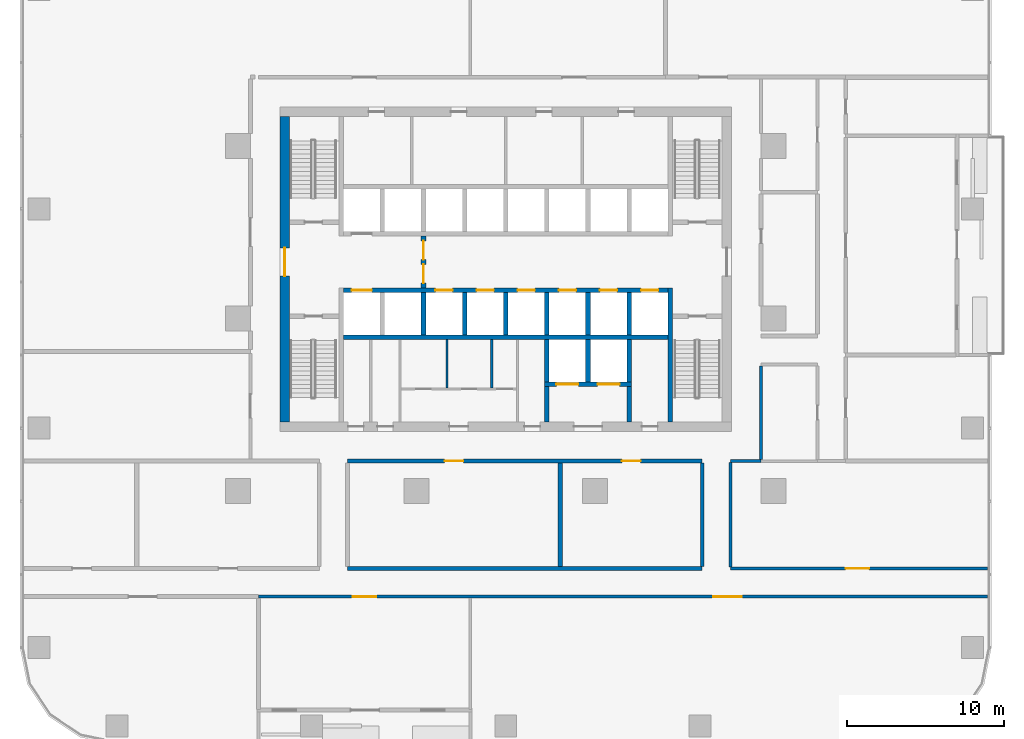
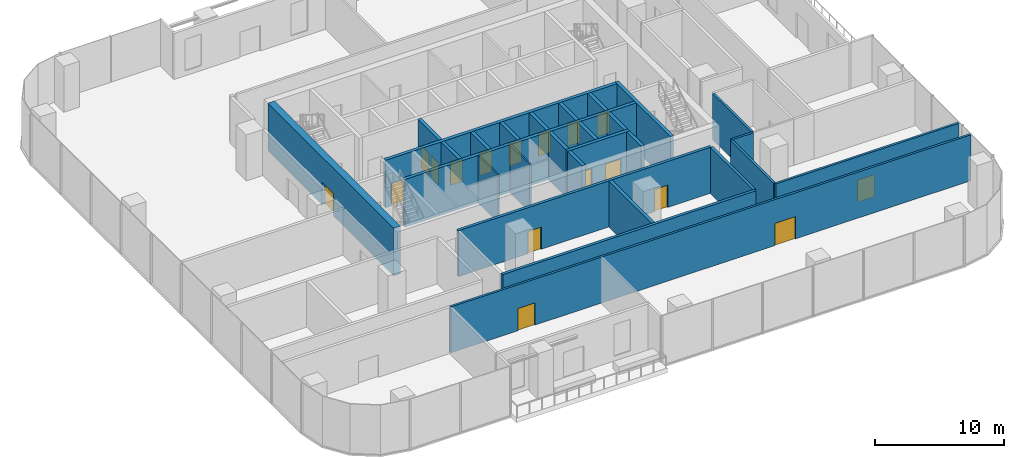
# One storey, part 8 of 15: 28 walls, 17 doors, 17 openings.
"""IFC4 building model written with IfcOpenShell, lengths in metres."""

from ifc_helpers import new_model, si_unit, direction, frame, frame_2d, origin, place, context, subcontext, project, spatial, rectangle, extrude, material, layer, layer_set, type_object, element, fill, save


model = new_model("IFC4")

# Units and contexts
model_context = context("Model", 3, precision=1e-05, world=origin(), true_north=direction((0.0, 1.0)))
body_context = subcontext(model_context, "Body", "Model", "MODEL_VIEW")
ifc_project = project(units=[si_unit("LENGTHUNIT", "METRE"), si_unit("AREAUNIT", "SQUARE_METRE"), si_unit("VOLUMEUNIT", "CUBIC_METRE"), si_unit("PLANEANGLEUNIT", "RADIAN"), si_unit("MASSUNIT", "GRAM", prefix="KILO")], contexts=[model_context])

# Site, building, storey
site_placement = place(None, origin())
site = spatial("IfcSite", under=ifc_project, at=site_placement, CompositionType="ELEMENT")
building_placement = place(site_placement, origin())
building = spatial("IfcBuilding", under=site, at=building_placement, Name="Mopane Tessera Tower", CompositionType="ELEMENT")
storey_placement = place(building_placement, frame((0.0, 0.0, 69.39990234375)))
storey = spatial("IfcBuildingStorey", under=building, at=storey_placement, Name="L13", CompositionType="ELEMENT", Elevation=69.39990234375)

# Walls
ifc_material_1 = material(Name="Fire-rated gypsum board partition")
ifc_layer_1 = layer(ifc_material_1, 0.14990234375)
ifc_layer_set_1 = layer_set([ifc_layer_1], Name="Fire-rated gypsum board partition")
wall_type_1 = type_object("IfcWallType", Name="Core room partition 150 mm", PredefinedType="PARTITIONING", material=ifc_layer_set_1)
for number, where, z_axis, x_axis, name in (
    (1, (-3.75, -4.425048828125, 0.0), (0.0, 0.0, 1.0), (0.0, 1.0, 0.0), "L13 WC partition"),
    (2, (-0.89990234375, -4.425048828125, 0.0), (0.0, 0.0, 1.0), (0.0, 1.0, 0.0), "L13 WC partition"),
):
    element("IfcWall", number, at=place(storey_placement, frame(where, z_axis=z_axis, x_axis=x_axis)), inside=storey, type_object=wall_type_1, Name=name, PredefinedType="PARTITIONING", context=body_context, shape_type="SweptSolid", body=[
        extrude(rectangle(XDim=3.074951171875, YDim=0.14990234375, at=frame_2d((1.53759765625, 0.0))), origin(), (0.0, 0.0, 1.0), 4.5),
    ])

# Wall, opening, door
ifc_material_2 = material(Name="Concrete C70/85", Category="concrete")
ifc_layer_2 = layer(ifc_material_2, 0.60009765625)
ifc_layer_set_2 = layer_set([ifc_layer_2], Name="Concrete C70/85")
wall_type_2 = type_object("IfcWallType", Name="Core shear wall 600 mm", PredefinedType="SHEAR", material=ifc_layer_set_2)
wall_1_placement = place(storey_placement, frame((-14.10009765625, -6.60009765625, 0.0), z_axis=(0.0, 0.0, 1.0), x_axis=(0.0, 1.0, 0.0)))
wall_1 = element("IfcWall", 3, at=wall_1_placement, inside=storey, type_object=wall_type_2, Name="L13 Core wall west", PredefinedType="SHEAR", context=body_context, shape_type="SweptSolid", body=[
    extrude(rectangle(XDim=19.5, YDim=0.60009765625, at=frame_2d((9.75, 0.0))), origin(), (0.0, 0.0, 1.0), 4.5),
])
opening_1_placement = place(wall_1_placement, frame((9.300048828125, 0.0, 0.0)))
opening_1 = element("IfcOpeningElement", 4, at=opening_1_placement, cuts=wall_1, Name="Opening SD2", PredefinedType="OPENING", context=body_context, shape_type="SweptSolid", body=[
    extrude(rectangle(XDim=1.800048828125, YDim=2.10009765625, at=frame_2d((0.89990234375, 1.050048828125))), frame((0.0, 0.31201171875, 0.0), z_axis=(0.0, -1.0, 0.0), x_axis=(1.0, 0.0, 0.0)), (0.0, 0.0, 1.0), 0.6240234375),
])
ifc_material_3 = material(Name="Steel fire door", Category="steel")
door_type_1 = type_object("IfcDoorType", Name="Core entrance double door 1800 x 2100", OperationType="DOUBLE_DOOR_SINGLE_SWING", PredefinedType="DOOR", material=ifc_material_3)
door_1_placement = place(opening_1_placement, origin())
door_1 = element("IfcDoor", 5, at=door_1_placement, inside=storey, type_object=door_type_1, Name="L13 Core entrance door west", OperationType="DOUBLE_DOOR_SINGLE_SWING", OverallHeight=2.10009765625, OverallWidth=1.800048828125, PredefinedType="DOOR", context=body_context, shape_type="SweptSolid", body=[
    extrude(rectangle(XDim=1.800048828125, YDim=2.10009765625, at=frame_2d((0.89990234375, 1.050048828125))), frame((0.0, 0.02490234375, 0.0), z_axis=(0.0, -1.0, 0.0), x_axis=(1.0, 0.0, 0.0)), (0.0, 0.0, 1.0), 0.050048828125),
])
fill(opening_1, door_1)

# Wall
ifc_material_4 = material(Name="Concrete C60/75", Category="concrete")
ifc_layer_3 = layer(ifc_material_4, 0.300048828125)
ifc_layer_set_3 = layer_set([ifc_layer_3], Name="Concrete C60/75")
wall_type_3 = type_object("IfcWallType", Name="Core spine wall 300 mm", PredefinedType="SHEAR", material=ifc_layer_set_3)
wall_2_placement = place(storey_placement, frame((10.5, -6.60009765625, 0.0), z_axis=(0.0, 0.0, 1.0), x_axis=(0.0, 1.0, 0.0)))
element("IfcWall", 6, at=wall_2_placement, inside=storey, type_object=wall_type_3, Name="L13 Core spine wall", PredefinedType="SHEAR", context=body_context, shape_type="SweptSolid", body=[
    extrude(rectangle(XDim=8.550048828125, YDim=0.300048828125, at=frame_2d((4.27490234375, 0.0))), origin(), (0.0, 0.0, 1.0), 4.5),
])

# Wall, openings, doors
ifc_material_5 = material(Name="Gypsum board on steel studs, two layers each face, mineral wool infill", Category="steel")
ifc_layer_4 = layer(ifc_material_5, 0.199951171875)
ifc_layer_set_4 = layer_set([ifc_layer_4], Name="Gypsum board on steel studs, two layers each face, mineral wool infill")
wall_type_4 = type_object("IfcWallType", Name="Gypsum board corridor wall 200, rated EI 60", PredefinedType="PARTITIONING", material=ifc_layer_set_4)
wall_3_placement = place(storey_placement, frame((-15.780029296875, -17.75, 0.0), z_axis=(0.0, 0.0, 1.0), x_axis=(1.0, 0.0, 0.0)))
wall_3 = element("IfcWall", 7, at=wall_3_placement, inside=storey, type_object=wall_type_4, Name="Partition L13:000", PredefinedType="PARTITIONING", context=body_context, shape_type="SweptSolid", body=[
    extrude(rectangle(XDim=46.530029296875, YDim=0.199951171875, at=frame_2d((23.26513671875, 0.0))), origin(), (0.0, 0.0, 1.0), 4.35009765625),
])
opening_2_placement = place(wall_3_placement, frame((29.027587890625, 0.0, 0.0)))
opening_2 = element("IfcOpeningElement", 8, at=opening_2_placement, cuts=wall_3, Name="Opening L13-05", PredefinedType="OPENING", context=body_context, shape_type="SweptSolid", body=[
    extrude(rectangle(XDim=1.800048828125, YDim=2.10009765625, at=frame_2d((0.89990234375, 1.050048828125))), frame((0.0, 0.112060546875, 0.0), z_axis=(0.0, -1.0, 0.0), x_axis=(1.0, 0.0, 0.0)), (0.0, 0.0, 1.0), 0.223876953125),
])
opening_3_placement = place(wall_3_placement, frame((6.012451171875, 0.0, 0.0)))
opening_3 = element("IfcOpeningElement", 9, at=opening_3_placement, cuts=wall_3, Name="Opening L13-16", PredefinedType="OPENING", context=body_context, shape_type="SweptSolid", body=[
    extrude(rectangle(XDim=1.5, YDim=2.10009765625, at=frame_2d((0.75, 1.050048828125))), frame((0.0, 0.112060546875, 0.0), z_axis=(0.0, -1.0, 0.0), x_axis=(1.0, 0.0, 0.0)), (0.0, 0.0, 1.0), 0.223876953125),
])
ifc_material_6 = material(Name="Timber veneered steel-framed fire door", Category="steel")
door_type_2 = type_object("IfcDoorType", Name="Fire door pair FD60 1500 x 2100", OperationType="DOUBLE_DOOR_SINGLE_SWING", PredefinedType="DOOR", material=ifc_material_6)
door_2_placement = place(opening_3_placement, origin())
door_2 = element("IfcDoor", 10, at=door_2_placement, inside=storey, type_object=door_type_2, Name="Door L13-16", ObjectType="D17A", OperationType="DOUBLE_DOOR_SINGLE_SWING", OverallHeight=2.10009765625, OverallWidth=1.5, PredefinedType="DOOR", context=body_context, shape_type="SweptSolid", body=[
    extrude(rectangle(XDim=1.5, YDim=2.10009765625, at=frame_2d((0.75, 1.050048828125))), frame((0.0, 0.02490234375, 0.0), z_axis=(0.0, -1.0, 0.0), x_axis=(1.0, 0.0, 0.0)), (0.0, 0.0, 1.0), 0.050048828125),
])
fill(opening_3, door_2)
ifc_material_7 = material(Name="Timber veneered steel-framed fire door", Category="steel")
door_type_3 = type_object("IfcDoorType", Name="Fire door pair FD60 1800 x 2100", OperationType="DOUBLE_DOOR_SINGLE_SWING", PredefinedType="DOOR", material=ifc_material_7)
door_3_placement = place(opening_2_placement, origin())
door_3 = element("IfcDoor", 11, at=door_3_placement, inside=storey, type_object=door_type_3, Name="Door L13-05", ObjectType="D20A", OperationType="DOUBLE_DOOR_SINGLE_SWING", OverallHeight=2.10009765625, OverallWidth=1.800048828125, PredefinedType="DOOR", context=body_context, shape_type="SweptSolid", body=[
    extrude(rectangle(XDim=1.800048828125, YDim=2.10009765625, at=frame_2d((0.89990234375, 1.050048828125))), frame((0.0, 0.02490234375, 0.0), z_axis=(0.0, -1.0, 0.0), x_axis=(1.0, 0.0, 0.0)), (0.0, 0.0, 1.0), 0.050048828125),
])
fill(opening_2, door_3)

# Wall, opening, door
wall_4_placement = place(storey_placement, frame((14.340087890625, -15.949951171875, 0.0), z_axis=(0.0, 0.0, 1.0), x_axis=(1.0, 0.0, 0.0)))
wall_4 = element("IfcWall", 12, at=wall_4_placement, inside=storey, type_object=wall_type_4, Name="Partition L13:002", PredefinedType="PARTITIONING", context=body_context, shape_type="SweptSolid", body=[
    extrude(rectangle(XDim=16.409912109375, YDim=0.199951171875, at=frame_2d((8.205078125, 0.0))), origin(), (0.0, 0.0, 1.0), 4.35009765625),
])
opening_4_placement = place(wall_4_placement, frame((7.35498046875, 0.0, 0.0)))
opening_4 = element("IfcOpeningElement", 13, at=opening_4_placement, cuts=wall_4, Name="Opening L13-19", PredefinedType="OPENING", context=body_context, shape_type="SweptSolid", body=[
    extrude(rectangle(XDim=1.5, YDim=2.10009765625, at=frame_2d((0.75, 1.050048828125))), frame((0.0, 0.112060546875, 0.0), z_axis=(0.0, -1.0, 0.0), x_axis=(1.0, 0.0, 0.0)), (0.0, 0.0, 1.0), 0.223876953125),
])
door_4_placement = place(opening_4_placement, origin())
door_4 = element("IfcDoor", 14, at=door_4_placement, inside=storey, type_object=door_type_2, Name="Door L13-19", ObjectType="D17A", OperationType="DOUBLE_DOOR_SINGLE_SWING", OverallHeight=2.10009765625, OverallWidth=1.5, PredefinedType="DOOR", context=body_context, shape_type="SweptSolid", body=[
    extrude(rectangle(XDim=1.5, YDim=2.10009765625, at=frame_2d((0.75, 1.050048828125))), frame((0.0, 0.02490234375, 0.0), z_axis=(0.0, -1.0, 0.0), x_axis=(1.0, 0.0, 0.0)), (0.0, 0.0, 1.0), 0.050048828125),
])
fill(opening_4, door_4)

# Walls
wall_5_placement = place(storey_placement, frame((14.340087890625, -9.10009765625, 0.0), z_axis=(0.0, 0.0, 1.0), x_axis=(1.0, 0.0, 0.0)))
element("IfcWall", 15, at=wall_5_placement, inside=storey, type_object=wall_type_4, Name="Partition L13:006", PredefinedType="PARTITIONING", context=body_context, shape_type="SweptSolid", body=[
    extrude(rectangle(XDim=1.9599609375, YDim=0.199951171875, at=frame_2d((0.97998046875, 0.0))), origin(), (0.0, 0.0, 1.0), 4.35009765625),
])
wall_6_placement = place(storey_placement, frame((14.340087890625, -15.85009765625, 0.0), z_axis=(0.0, 0.0, 1.0), x_axis=(0.0, 1.0, 0.0)))
element("IfcWall", 16, at=wall_6_placement, inside=storey, type_object=wall_type_4, Name="Partition L13:034", PredefinedType="PARTITIONING", context=body_context, shape_type="SweptSolid", body=[
    extrude(rectangle(XDim=6.650146484375, YDim=0.199951171875, at=frame_2d((3.3251953125, 0.0))), origin(), (0.0, 0.0, 1.0), 4.35009765625),
])
wall_7_placement = place(storey_placement, frame((16.300048828125, -9.0, 0.0), z_axis=(0.0, 0.0, 1.0), x_axis=(0.0, 1.0, 0.0)))
element("IfcWall", 17, at=wall_7_placement, inside=storey, type_object=wall_type_4, Name="Partition L13:035", PredefinedType="PARTITIONING", context=body_context, shape_type="SweptSolid", body=[
    extrude(rectangle(XDim=5.97509765625, YDim=0.199951171875, at=frame_2d((2.987548828125, 0.0))), origin(), (0.0, 0.0, 1.0), 4.35009765625),
])
ifc_material_8 = material(Name="Concrete C50/60", Category="concrete")
ifc_layer_5 = layer(ifc_material_8, 0.300048828125)
ifc_layer_set_5 = layer_set([ifc_layer_5], Name="Concrete C50/60")
wall_type_5 = type_object("IfcWallType", Name="Lift and stair shaft wall 300 mm", PredefinedType="SOLIDWALL", material=ifc_layer_set_5)
wall_8_placement = place(storey_placement, frame((-10.35009765625, -1.199951171875, 0.0), z_axis=(0.0, 0.0, 1.0), x_axis=(1.0, 0.0, 0.0)))
element("IfcWall", 18, at=wall_8_placement, inside=storey, type_object=wall_type_5, Name="L13 Lift shaft rear wall", PredefinedType="SOLIDWALL", context=body_context, shape_type="SweptSolid", body=[
    extrude(rectangle(XDim=20.7001953125, YDim=0.300048828125, at=frame_2d((10.35009765625, 0.0))), origin(), (0.0, 0.0, 1.0), 4.5),
])

# Wall, openings, doors
wall_9_placement = place(storey_placement, frame((-10.35009765625, 1.800048828125, 0.0), z_axis=(0.0, 0.0, 1.0), x_axis=(1.0, 0.0, 0.0)))
wall_9 = element("IfcWall", 19, at=wall_9_placement, inside=storey, type_object=wall_type_5, Name="L13 Lift shaft front wall", PredefinedType="SOLIDWALL", context=body_context, shape_type="SweptSolid", body=[
    extrude(rectangle(XDim=20.7001953125, YDim=0.300048828125, at=frame_2d((10.35009765625, 0.0))), origin(), (0.0, 0.0, 1.0), 4.5),
])
opening_5_placement = place(wall_9_placement, frame((0.512451171875, 0.0, 0.0)))
opening_5 = element("IfcOpeningElement", 20, at=opening_5_placement, cuts=wall_9, Name="Opening LD2", PredefinedType="OPENING", context=body_context, shape_type="SweptSolid", body=[
    extrude(rectangle(XDim=1.300048828125, YDim=2.10009765625, at=frame_2d((0.64990234375, 1.050048828125))), frame((0.0, 0.162109375, 0.0), z_axis=(0.0, -1.0, 0.0), x_axis=(1.0, 0.0, 0.0)), (0.0, 0.0, 1.0), 0.323974609375),
])
opening_6_placement = place(wall_9_placement, frame((5.862548828125, 0.0, 0.0)))
opening_6 = element("IfcOpeningElement", 21, at=opening_6_placement, cuts=wall_9, Name="Opening LD", PredefinedType="OPENING", context=body_context, shape_type="SweptSolid", body=[
    extrude(rectangle(XDim=1.10009765625, YDim=2.10009765625, at=frame_2d((0.550048828125, 1.050048828125))), frame((0.0, 0.162109375, 0.0), z_axis=(0.0, -1.0, 0.0), x_axis=(1.0, 0.0, 0.0)), (0.0, 0.0, 1.0), 0.323974609375),
])
opening_7_placement = place(wall_9_placement, frame((8.487548828125, 0.0, 0.0)))
opening_7 = element("IfcOpeningElement", 22, at=opening_7_placement, cuts=wall_9, Name="Opening LD", PredefinedType="OPENING", context=body_context, shape_type="SweptSolid", body=[
    extrude(rectangle(XDim=1.10009765625, YDim=2.10009765625, at=frame_2d((0.550048828125, 1.050048828125))), frame((0.0, 0.162109375, 0.0), z_axis=(0.0, -1.0, 0.0), x_axis=(1.0, 0.0, 0.0)), (0.0, 0.0, 1.0), 0.323974609375),
])
opening_8_placement = place(wall_9_placement, frame((11.112548828125, 0.0, 0.0)))
opening_8 = element("IfcOpeningElement", 23, at=opening_8_placement, cuts=wall_9, Name="Opening LD", PredefinedType="OPENING", context=body_context, shape_type="SweptSolid", body=[
    extrude(rectangle(XDim=1.10009765625, YDim=2.10009765625, at=frame_2d((0.550048828125, 1.050048828125))), frame((0.0, 0.162109375, 0.0), z_axis=(0.0, -1.0, 0.0), x_axis=(1.0, 0.0, 0.0)), (0.0, 0.0, 1.0), 0.323974609375),
])
opening_9_placement = place(wall_9_placement, frame((13.737548828125, 0.0, 0.0)))
opening_9 = element("IfcOpeningElement", 24, at=opening_9_placement, cuts=wall_9, Name="Opening LD", PredefinedType="OPENING", context=body_context, shape_type="SweptSolid", body=[
    extrude(rectangle(XDim=1.10009765625, YDim=2.10009765625, at=frame_2d((0.550048828125, 1.050048828125))), frame((0.0, 0.162109375, 0.0), z_axis=(0.0, -1.0, 0.0), x_axis=(1.0, 0.0, 0.0)), (0.0, 0.0, 1.0), 0.323974609375),
])
opening_10_placement = place(wall_9_placement, frame((16.362548828125, 0.0, 0.0)))
opening_10 = element("IfcOpeningElement", 25, at=opening_10_placement, cuts=wall_9, Name="Opening LD", PredefinedType="OPENING", context=body_context, shape_type="SweptSolid", body=[
    extrude(rectangle(XDim=1.10009765625, YDim=2.10009765625, at=frame_2d((0.550048828125, 1.050048828125))), frame((0.0, 0.162109375, 0.0), z_axis=(0.0, -1.0, 0.0), x_axis=(1.0, 0.0, 0.0)), (0.0, 0.0, 1.0), 0.323974609375),
])
opening_11_placement = place(wall_9_placement, frame((18.987548828125, 0.0, 0.0)))
opening_11 = element("IfcOpeningElement", 26, at=opening_11_placement, cuts=wall_9, Name="Opening LD", PredefinedType="OPENING", context=body_context, shape_type="SweptSolid", body=[
    extrude(rectangle(XDim=1.10009765625, YDim=2.10009765625, at=frame_2d((0.550048828125, 1.050048828125))), frame((0.0, 0.162109375, 0.0), z_axis=(0.0, -1.0, 0.0), x_axis=(1.0, 0.0, 0.0)), (0.0, 0.0, 1.0), 0.323974609375),
])
ifc_material_9 = material(Name="Stainless steel sliding door", Category="steel")
door_type_4 = type_object("IfcDoorType", Name="Fire-fighting lift landing door 1300 x 2100", OperationType="DOUBLE_DOOR_SLIDING", PredefinedType="DOOR", material=ifc_material_9)
door_5_placement = place(opening_5_placement, origin())
door_5 = element("IfcDoor", 27, at=door_5_placement, inside=storey, type_object=door_type_4, Name="L13 Lift landing door FF1", OperationType="DOUBLE_DOOR_SLIDING", OverallHeight=2.10009765625, OverallWidth=1.300048828125, PredefinedType="DOOR", context=body_context, shape_type="SweptSolid", body=[
    extrude(rectangle(XDim=1.300048828125, YDim=2.10009765625, at=frame_2d((0.64990234375, 1.050048828125))), frame((0.0, 0.02490234375, 0.0), z_axis=(0.0, -1.0, 0.0), x_axis=(1.0, 0.0, 0.0)), (0.0, 0.0, 1.0), 0.050048828125),
])
fill(opening_5, door_5)
ifc_material_10 = material(Name="Stainless steel sliding door", Category="steel")
door_type_5 = type_object("IfcDoorType", Name="Lift landing door 1100 x 2100", OperationType="DOUBLE_DOOR_SLIDING", PredefinedType="DOOR", material=ifc_material_10)
door_6_placement = place(opening_6_placement, origin())
door_6 = element("IfcDoor", 28, at=door_6_placement, inside=storey, type_object=door_type_5, Name="L13 Lift landing door LR1", OperationType="DOUBLE_DOOR_SLIDING", OverallHeight=2.10009765625, OverallWidth=1.10009765625, PredefinedType="DOOR", context=body_context, shape_type="SweptSolid", body=[
    extrude(rectangle(XDim=1.10009765625, YDim=2.10009765625, at=frame_2d((0.550048828125, 1.050048828125))), frame((0.0, 0.02490234375, 0.0), z_axis=(0.0, -1.0, 0.0), x_axis=(1.0, 0.0, 0.0)), (0.0, 0.0, 1.0), 0.050048828125),
])
fill(opening_6, door_6)
door_7_placement = place(opening_7_placement, origin())
door_7 = element("IfcDoor", 29, at=door_7_placement, inside=storey, type_object=door_type_5, Name="L13 Lift landing door LR2", OperationType="DOUBLE_DOOR_SLIDING", OverallHeight=2.10009765625, OverallWidth=1.10009765625, PredefinedType="DOOR", context=body_context, shape_type="SweptSolid", body=[
    extrude(rectangle(XDim=1.10009765625, YDim=2.10009765625, at=frame_2d((0.550048828125, 1.050048828125))), frame((0.0, 0.02490234375, 0.0), z_axis=(0.0, -1.0, 0.0), x_axis=(1.0, 0.0, 0.0)), (0.0, 0.0, 1.0), 0.050048828125),
])
fill(opening_7, door_7)
door_8_placement = place(opening_8_placement, origin())
door_8 = element("IfcDoor", 30, at=door_8_placement, inside=storey, type_object=door_type_5, Name="L13 Lift landing door LR3", OperationType="DOUBLE_DOOR_SLIDING", OverallHeight=2.10009765625, OverallWidth=1.10009765625, PredefinedType="DOOR", context=body_context, shape_type="SweptSolid", body=[
    extrude(rectangle(XDim=1.10009765625, YDim=2.10009765625, at=frame_2d((0.550048828125, 1.050048828125))), frame((0.0, 0.02490234375, 0.0), z_axis=(0.0, -1.0, 0.0), x_axis=(1.0, 0.0, 0.0)), (0.0, 0.0, 1.0), 0.050048828125),
])
fill(opening_8, door_8)
door_9_placement = place(opening_9_placement, origin())
door_9 = element("IfcDoor", 31, at=door_9_placement, inside=storey, type_object=door_type_5, Name="L13 Lift landing door LR4", OperationType="DOUBLE_DOOR_SLIDING", OverallHeight=2.10009765625, OverallWidth=1.10009765625, PredefinedType="DOOR", context=body_context, shape_type="SweptSolid", body=[
    extrude(rectangle(XDim=1.10009765625, YDim=2.10009765625, at=frame_2d((0.550048828125, 1.050048828125))), frame((0.0, 0.02490234375, 0.0), z_axis=(0.0, -1.0, 0.0), x_axis=(1.0, 0.0, 0.0)), (0.0, 0.0, 1.0), 0.050048828125),
])
fill(opening_9, door_9)
door_10_placement = place(opening_10_placement, origin())
door_10 = element("IfcDoor", 32, at=door_10_placement, inside=storey, type_object=door_type_5, Name="L13 Lift landing door LR5", OperationType="DOUBLE_DOOR_SLIDING", OverallHeight=2.10009765625, OverallWidth=1.10009765625, PredefinedType="DOOR", context=body_context, shape_type="SweptSolid", body=[
    extrude(rectangle(XDim=1.10009765625, YDim=2.10009765625, at=frame_2d((0.550048828125, 1.050048828125))), frame((0.0, 0.02490234375, 0.0), z_axis=(0.0, -1.0, 0.0), x_axis=(1.0, 0.0, 0.0)), (0.0, 0.0, 1.0), 0.050048828125),
])
fill(opening_10, door_10)
door_11_placement = place(opening_11_placement, origin())
door_11 = element("IfcDoor", 33, at=door_11_placement, inside=storey, type_object=door_type_5, Name="L13 Lift landing door LR6", OperationType="DOUBLE_DOOR_SLIDING", OverallHeight=2.10009765625, OverallWidth=1.10009765625, PredefinedType="DOOR", context=body_context, shape_type="SweptSolid", body=[
    extrude(rectangle(XDim=1.10009765625, YDim=2.10009765625, at=frame_2d((0.550048828125, 1.050048828125))), frame((0.0, 0.02490234375, 0.0), z_axis=(0.0, -1.0, 0.0), x_axis=(1.0, 0.0, 0.0)), (0.0, 0.0, 1.0), 0.050048828125),
])
fill(opening_11, door_11)

# Walls
for number, where, z_axis, x_axis, name in (
    (34, (-5.25, -1.050048828125, 0.0), (0.0, 0.0, 1.0), (0.0, 1.0, 0.0), "L13 Lift shaft wall"),
    (35, (-2.625, -1.050048828125, 0.0), (0.0, 0.0, 1.0), (0.0, 1.0, 0.0), "L13 Lift shaft wall"),
    (36, (0.0, -1.050048828125, 0.0), (0.0, 0.0, 1.0), (0.0, 1.0, 0.0), "L13 Lift shaft wall"),
    (37, (2.625, -1.050048828125, 0.0), (0.0, 0.0, 1.0), (0.0, 1.0, 0.0), "L13 Lift shaft wall"),
    (38, (5.25, -1.050048828125, 0.0), (0.0, 0.0, 1.0), (0.0, 1.0, 0.0), "L13 Lift shaft wall"),
    (39, (7.875, -1.050048828125, 0.0), (0.0, 0.0, 1.0), (0.0, 1.0, 0.0), "L13 Lift shaft wall"),
):
    element("IfcWall", number, at=place(storey_placement, frame(where, z_axis=z_axis, x_axis=x_axis)), inside=storey, type_object=wall_type_5, Name=name, PredefinedType="SOLIDWALL", context=body_context, shape_type="SweptSolid", body=[
        extrude(rectangle(XDim=2.699951171875, YDim=0.300048828125, at=frame_2d((1.35009765625, 0.0))), origin(), (0.0, 0.0, 1.0), 4.5),
    ])

# Wall, openings, doors
wall_10_placement = place(storey_placement, frame((2.47509765625, -4.199951171875, 0.0), z_axis=(0.0, 0.0, 1.0), x_axis=(1.0, 0.0, 0.0)))
wall_10 = element("IfcWall", 40, at=wall_10_placement, inside=storey, type_object=wall_type_5, Name="L13 Lift shaft front wall", PredefinedType="SOLIDWALL", context=body_context, shape_type="SweptSolid", body=[
    extrude(rectangle(XDim=5.5498046875, YDim=0.300048828125, at=frame_2d((2.77490234375, 0.0))), origin(), (0.0, 0.0, 1.0), 4.5),
])
opening_12_placement = place(wall_10_placement, frame((0.762451171875, 0.0, 0.0)))
opening_12 = element("IfcOpeningElement", 41, at=opening_12_placement, cuts=wall_10, Name="Opening LD3", PredefinedType="OPENING", context=body_context, shape_type="SweptSolid", body=[
    extrude(rectangle(XDim=1.39990234375, YDim=2.10009765625, at=frame_2d((0.699951171875, 1.050048828125))), frame((0.0, 0.162109375, 0.0), z_axis=(0.0, -1.0, 0.0), x_axis=(1.0, 0.0, 0.0)), (0.0, 0.0, 1.0), 0.323974609375),
])
opening_13_placement = place(wall_10_placement, frame((3.387451171875, 0.0, 0.0)))
opening_13 = element("IfcOpeningElement", 42, at=opening_13_placement, cuts=wall_10, Name="Opening LD3", PredefinedType="OPENING", context=body_context, shape_type="SweptSolid", body=[
    extrude(rectangle(XDim=1.39990234375, YDim=2.10009765625, at=frame_2d((0.699951171875, 1.050048828125))), frame((0.0, 0.162109375, 0.0), z_axis=(0.0, -1.0, 0.0), x_axis=(1.0, 0.0, 0.0)), (0.0, 0.0, 1.0), 0.323974609375),
])
ifc_material_11 = material(Name="Stainless steel sliding door", Category="steel")
door_type_6 = type_object("IfcDoorType", Name="Service lift landing door 1400 x 2100", OperationType="DOUBLE_DOOR_SLIDING", PredefinedType="DOOR", material=ifc_material_11)
door_12_placement = place(opening_12_placement, origin())
door_12 = element("IfcDoor", 43, at=door_12_placement, inside=storey, type_object=door_type_6, Name="L13 Lift landing door SV1", OperationType="DOUBLE_DOOR_SLIDING", OverallHeight=2.10009765625, OverallWidth=1.39990234375, PredefinedType="DOOR", context=body_context, shape_type="SweptSolid", body=[
    extrude(rectangle(XDim=1.39990234375, YDim=2.10009765625, at=frame_2d((0.699951171875, 1.050048828125))), frame((0.0, 0.02490234375, 0.0), z_axis=(0.0, -1.0, 0.0), x_axis=(1.0, 0.0, 0.0)), (0.0, 0.0, 1.0), 0.050048828125),
])
fill(opening_12, door_12)
door_13_placement = place(opening_13_placement, origin())
door_13 = element("IfcDoor", 44, at=door_13_placement, inside=storey, type_object=door_type_6, Name="L13 Lift landing door SV2", OperationType="DOUBLE_DOOR_SLIDING", OverallHeight=2.10009765625, OverallWidth=1.39990234375, PredefinedType="DOOR", context=body_context, shape_type="SweptSolid", body=[
    extrude(rectangle(XDim=1.39990234375, YDim=2.10009765625, at=frame_2d((0.699951171875, 1.050048828125))), frame((0.0, 0.02490234375, 0.0), z_axis=(0.0, -1.0, 0.0), x_axis=(1.0, 0.0, 0.0)), (0.0, 0.0, 1.0), 0.050048828125),
])
fill(opening_13, door_13)

# Walls
for number, where, z_axis, x_axis, name in (
    (45, (2.625, -4.050048828125, 0.0), (0.0, 0.0, 1.0), (0.0, 1.0, 0.0), "L13 Lift shaft wall"),
    (46, (5.25, -4.050048828125, 0.0), (0.0, 0.0, 1.0), (0.0, 1.0, 0.0), "L13 Lift shaft wall"),
    (47, (7.875, -4.050048828125, 0.0), (0.0, 0.0, 1.0), (0.0, 1.0, 0.0), "L13 Lift shaft wall"),
):
    element("IfcWall", number, at=place(storey_placement, frame(where, z_axis=z_axis, x_axis=x_axis)), inside=storey, type_object=wall_type_5, Name=name, PredefinedType="SOLIDWALL", context=body_context, shape_type="SweptSolid", body=[
        extrude(rectangle(XDim=2.699951171875, YDim=0.300048828125, at=frame_2d((1.35009765625, 0.0))), origin(), (0.0, 0.0, 1.0), 4.5),
    ])

# Wall, openings, doors
ifc_material_12 = material(Name="Concrete C50/60", Category="concrete")
ifc_layer_6 = layer(ifc_material_12, 0.300048828125)
ifc_layer_set_6 = layer_set([ifc_layer_6], Name="Concrete C50/60")
wall_type_6 = type_object("IfcWallType", Name="Lobby and refuge room wall 300 mm", PredefinedType="SOLIDWALL", material=ifc_layer_set_6)
wall_11_placement = place(storey_placement, frame((-5.25, 1.949951171875, 0.0), z_axis=(0.0, 0.0, 1.0), x_axis=(0.0, 1.0, 0.0)))
wall_11 = element("IfcWall", 48, at=wall_11_placement, inside=storey, type_object=wall_type_6, Name="L13 Fire-fighting lobby wall", PredefinedType="SOLIDWALL", context=body_context, shape_type="SweptSolid", body=[
    extrude(rectangle(XDim=3.300048828125, YDim=0.300048828125, at=frame_2d((1.64990234375, 0.0))), origin(), (0.0, 0.0, 1.0), 4.5),
])
opening_14_placement = place(wall_11_placement, frame((0.300048828125, 0.0, 0.0)))
opening_14 = element("IfcOpeningElement", 49, at=opening_14_placement, cuts=wall_11, Name="Opening SD3", PredefinedType="OPENING", context=body_context, shape_type="SweptSolid", body=[
    extrude(rectangle(XDim=1.199951171875, YDim=2.10009765625, at=frame_2d((0.60009765625, 1.050048828125))), frame((0.0, 0.162109375, 0.0), z_axis=(0.0, -1.0, 0.0), x_axis=(1.0, 0.0, 0.0)), (0.0, 0.0, 1.0), 0.323974609375),
])
opening_15_placement = place(wall_11_placement, frame((1.800048828125, 0.0, 0.0)))
opening_15 = element("IfcOpeningElement", 50, at=opening_15_placement, cuts=wall_11, Name="Opening SD3", PredefinedType="OPENING", context=body_context, shape_type="SweptSolid", body=[
    extrude(rectangle(XDim=1.199951171875, YDim=2.10009765625, at=frame_2d((0.60009765625, 1.050048828125))), frame((0.0, 0.162109375, 0.0), z_axis=(0.0, -1.0, 0.0), x_axis=(1.0, 0.0, 0.0)), (0.0, 0.0, 1.0), 0.323974609375),
])
ifc_material_13 = material(Name="Steel fire door", Category="steel")
door_type_7 = type_object("IfcDoorType", Name="Lobby fire door 1200 x 2100", OperationType="SINGLE_SWING_LEFT", PredefinedType="DOOR", material=ifc_material_13)
door_14_placement = place(opening_14_placement, origin())
door_14 = element("IfcDoor", 51, at=door_14_placement, inside=storey, type_object=door_type_7, Name="L13 Fire-fighting lobby door", OperationType="SINGLE_SWING_LEFT", OverallHeight=2.10009765625, OverallWidth=1.199951171875, PredefinedType="DOOR", context=body_context, shape_type="SweptSolid", body=[
    extrude(rectangle(XDim=1.199951171875, YDim=2.10009765625, at=frame_2d((0.60009765625, 1.050048828125))), frame((0.0, 0.02490234375, 0.0), z_axis=(0.0, -1.0, 0.0), x_axis=(1.0, 0.0, 0.0)), (0.0, 0.0, 1.0), 0.050048828125),
])
fill(opening_14, door_14)
door_15_placement = place(opening_15_placement, origin())
door_15 = element("IfcDoor", 52, at=door_15_placement, inside=storey, type_object=door_type_7, Name="L13 Fire-fighting lobby door", OperationType="SINGLE_SWING_RIGHT", OverallHeight=2.10009765625, OverallWidth=1.199951171875, PredefinedType="DOOR", context=body_context, shape_type="SweptSolid", body=[
    extrude(rectangle(XDim=1.199951171875, YDim=2.10009765625, at=frame_2d((0.60009765625, 1.050048828125))), frame((0.0, 0.02490234375, 0.0), z_axis=(0.0, -1.0, 0.0), x_axis=(1.0, 0.0, 0.0)), (0.0, 0.0, 1.0), 0.050048828125),
])
fill(opening_15, door_15)

# Walls
for number, where, z_axis, x_axis, name in (
    (53, (2.625, -6.60009765625, 0.0), (0.0, 0.0, 1.0), (0.0, 1.0, 0.0), "L13 Service lobby wall"),
    (54, (7.875, -6.60009765625, 0.0), (0.0, 0.0, 1.0), (0.0, 1.0, 0.0), "L13 Service lobby wall"),
):
    element("IfcWall", number, at=place(storey_placement, frame(where, z_axis=z_axis, x_axis=x_axis)), inside=storey, type_object=wall_type_6, Name=name, PredefinedType="SOLIDWALL", context=body_context, shape_type="SweptSolid", body=[
        extrude(rectangle(XDim=2.25, YDim=0.300048828125, at=frame_2d((1.125, 0.0))), origin(), (0.0, 0.0, 1.0), 4.5),
    ])
ifc_material_14 = material(Name="Plastered concrete blockwork C20/25", Category="masonry")
ifc_layer_7 = layer(ifc_material_14, 0.300048828125)
ifc_layer_set_7 = layer_set([ifc_layer_7], Name="Plastered concrete blockwork C20/25")
wall_type_7 = type_object("IfcWallType", Name="Plastered blockwork separation wall 300, rated EI 120", PredefinedType="PARTITIONING", material=ifc_layer_set_7)
wall_12_placement = place(storey_placement, frame((3.485107421875, -15.824951171875, 0.0), z_axis=(0.0, 0.0, 1.0), x_axis=(0.0, 1.0, 0.0)))
element("IfcWall", 55, at=wall_12_placement, inside=storey, type_object=wall_type_7, Name="Partition L13:031", PredefinedType="PARTITIONING", context=body_context, shape_type="SweptSolid", body=[
    extrude(rectangle(XDim=6.599853515625, YDim=0.300048828125, at=frame_2d((3.2998046875, 0.0))), origin(), (0.0, 0.0, 1.0), 4.35009765625),
])
ifc_material_15 = material(Name="Plastered concrete blockwork C20/25", Category="masonry")
ifc_layer_8 = layer(ifc_material_15, 0.25)
ifc_layer_set_8 = layer_set([ifc_layer_8], Name="Plastered concrete blockwork C20/25")
wall_type_8 = type_object("IfcWallType", Name="Plastered blockwork wall 250, rated EI 120", PredefinedType="PARTITIONING", material=ifc_layer_set_8)
wall_13_placement = place(storey_placement, frame((-10.10009765625, -15.949951171875, 0.0), z_axis=(0.0, 0.0, 1.0), x_axis=(1.0, 0.0, 0.0)))
element("IfcWall", 56, at=wall_13_placement, inside=storey, type_object=wall_type_8, Name="Partition L13:004", PredefinedType="PARTITIONING", context=body_context, shape_type="SweptSolid", body=[
    extrude(rectangle(XDim=22.64013671875, YDim=0.25, at=frame_2d((11.320068359375, 0.0))), origin(), (0.0, 0.0, 1.0), 4.35009765625),
])

# Wall, openings, doors
wall_14_placement = place(storey_placement, frame((-10.10009765625, -9.10009765625, 0.0), z_axis=(0.0, 0.0, 1.0), x_axis=(1.0, 0.0, 0.0)))
wall_14 = element("IfcWall", 57, at=wall_14_placement, inside=storey, type_object=wall_type_8, Name="Partition L13:009", PredefinedType="PARTITIONING", context=body_context, shape_type="SweptSolid", body=[
    extrude(rectangle(XDim=22.64013671875, YDim=0.25, at=frame_2d((11.320068359375, 0.0))), origin(), (0.0, 0.0, 1.0), 4.35009765625),
])
opening_16_placement = place(wall_14_placement, frame((17.512451171875, 0.0, 0.0)))
opening_16 = element("IfcOpeningElement", 58, at=opening_16_placement, cuts=wall_14, Name="Opening L13-02", PredefinedType="OPENING", context=body_context, shape_type="SweptSolid", body=[
    extrude(rectangle(XDim=1.199951171875, YDim=2.10009765625, at=frame_2d((0.60009765625, 1.050048828125))), frame((0.0, 0.136962890625, 0.0), z_axis=(0.0, -1.0, 0.0), x_axis=(1.0, 0.0, 0.0)), (0.0, 0.0, 1.0), 0.27392578125),
])
opening_17_placement = place(wall_14_placement, frame((6.1923828125, 0.0, 0.0)))
opening_17 = element("IfcOpeningElement", 59, at=opening_17_placement, cuts=wall_14, Name="Opening L13-10", PredefinedType="OPENING", context=body_context, shape_type="SweptSolid", body=[
    extrude(rectangle(XDim=1.199951171875, YDim=2.10009765625, at=frame_2d((0.60009765625, 1.050048828125))), frame((0.0, 0.136962890625, 0.0), z_axis=(0.0, -1.0, 0.0), x_axis=(1.0, 0.0, 0.0)), (0.0, 0.0, 1.0), 0.27392578125),
])
ifc_material_16 = material(Name="Timber veneered steel-framed fire door", Category="steel")
door_type_8 = type_object("IfcDoorType", Name="Fire door FD120 1200 x 2100", OperationType="SINGLE_SWING_LEFT", PredefinedType="DOOR", material=ifc_material_16)
door_16_placement = place(opening_16_placement, origin())
door_16 = element("IfcDoor", 60, at=door_16_placement, inside=storey, type_object=door_type_8, Name="Door L13-02", ObjectType="D15B", OperationType="SINGLE_SWING_LEFT", OverallHeight=2.10009765625, OverallWidth=1.199951171875, PredefinedType="DOOR", context=body_context, shape_type="SweptSolid", body=[
    extrude(rectangle(XDim=1.199951171875, YDim=2.10009765625, at=frame_2d((0.60009765625, 1.050048828125))), frame((0.0, 0.02490234375, 0.0), z_axis=(0.0, -1.0, 0.0), x_axis=(1.0, 0.0, 0.0)), (0.0, 0.0, 1.0), 0.050048828125),
])
fill(opening_16, door_16)
door_17_placement = place(opening_17_placement, origin())
door_17 = element("IfcDoor", 61, at=door_17_placement, inside=storey, type_object=door_type_8, Name="Door L13-10", ObjectType="D15B", OperationType="SINGLE_SWING_LEFT", OverallHeight=2.10009765625, OverallWidth=1.199951171875, PredefinedType="DOOR", context=body_context, shape_type="SweptSolid", body=[
    extrude(rectangle(XDim=1.199951171875, YDim=2.10009765625, at=frame_2d((0.60009765625, 1.050048828125))), frame((0.0, 0.02490234375, 0.0), z_axis=(0.0, -1.0, 0.0), x_axis=(1.0, 0.0, 0.0)), (0.0, 0.0, 1.0), 0.050048828125),
])
fill(opening_17, door_17)

# Wall
wall_15_placement = place(storey_placement, frame((12.5400390625, -15.824951171875, 0.0), z_axis=(0.0, 0.0, 1.0), x_axis=(0.0, 1.0, 0.0)))
element("IfcWall", 62, at=wall_15_placement, inside=storey, type_object=wall_type_8, Name="Partition L13:033", PredefinedType="PARTITIONING", context=body_context, shape_type="SweptSolid", body=[
    extrude(rectangle(XDim=6.599853515625, YDim=0.25, at=frame_2d((3.2998046875, 0.0))), origin(), (0.0, 0.0, 1.0), 4.35009765625),
])

save(model, "model.ifc")
